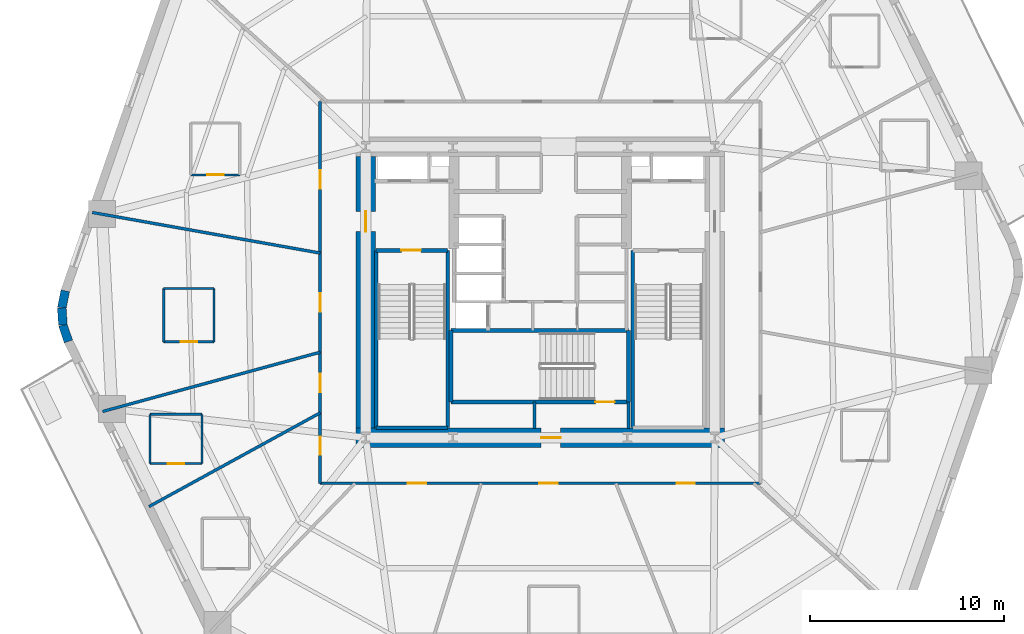
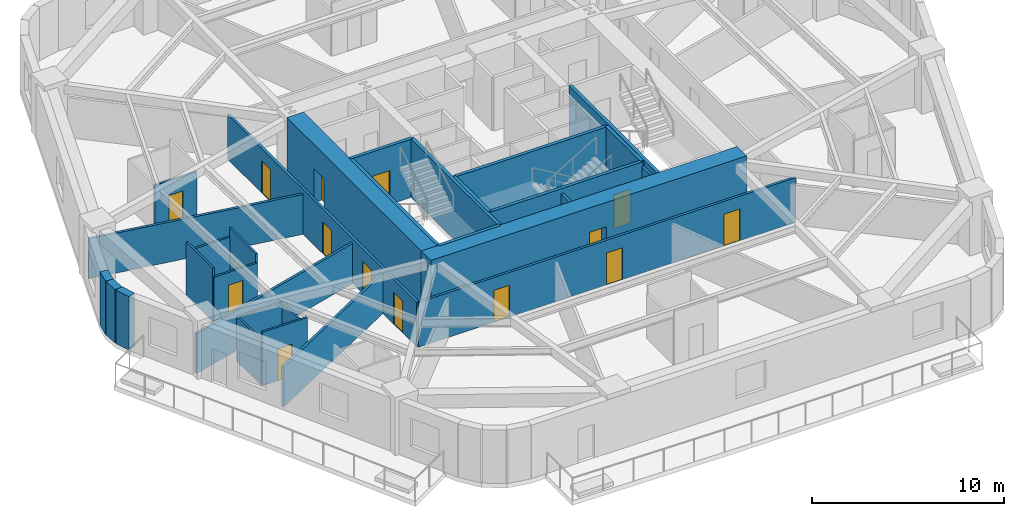
# One storey, part 3 of 10: 30 walls, 14 doors, 14 openings.
"""IFC4 building model written with IfcOpenShell, lengths in metres."""

from ifc_helpers import new_model, si_unit, direction, frame, frame_2d, origin, place, context, subcontext, project, spatial, rectangle, extrude, material, layer, layer_set, type_object, element, fill, save


model = new_model("IFC4")

# Units and contexts
model_context = context("Model", 3, precision=1e-05, world=origin(), true_north=direction((0.0, 1.0)))
body_context = subcontext(model_context, "Body", "Model", "MODEL_VIEW")
ifc_project = project(units=[si_unit("LENGTHUNIT", "METRE"), si_unit("AREAUNIT", "SQUARE_METRE"), si_unit("VOLUMEUNIT", "CUBIC_METRE"), si_unit("PLANEANGLEUNIT", "RADIAN"), si_unit("MASSUNIT", "GRAM", prefix="KILO")], contexts=[model_context])

# Site, building, storey
site_placement = place(None, origin())
site = spatial("IfcSite", under=ifc_project, at=site_placement, CompositionType="ELEMENT")
building_placement = place(site_placement, origin())
building = spatial("IfcBuilding", under=site, at=building_placement, Name="Kilnhurst Terrace Hotel", CompositionType="ELEMENT")
storey_placement = place(building_placement, frame((0.0, 0.0, 63.800048828125)))
storey = spatial("IfcBuildingStorey", under=building, at=storey_placement, Name="L14", CompositionType="ELEMENT", Elevation=63.800048828125)

# Walls
ifc_material_1 = material(Name="Precast concrete C40/50", Category="concrete")
ifc_layer_1 = layer(ifc_material_1, 0.449951171875, Name="Precast concrete C40/50")
ifc_layer_set_1 = layer_set([ifc_layer_1], Name="Precast concrete C40/50")
wall_type_1 = type_object("IfcWallType", Name="WL-BRK-450", PredefinedType="SOLIDWALL", material=ifc_layer_set_1)
wall_1_placement = place(storey_placement, frame((-24.49560546875, 0.07666015625, 0.0), z_axis=(0.0, 0.0, 1.0), x_axis=(-0.199570594521, -0.979883451132, 0.0)))
element("IfcWall", 1, at=wall_1_placement, inside=storey, type_object=wall_type_1, Name="L14 Rounded Corner Brick Wall C6.1", PredefinedType="SOLIDWALL", context=body_context, shape_type="SweptSolid", body=[
    extrude(rectangle(XDim=0.896728515625, YDim=0.449951171875, at=frame_2d((0.4482421875, 0.0))), origin(), (0.0, 0.0, 1.0), 3.39990234375),
])
wall_2_placement = place(storey_placement, frame((-24.674560546875, -0.802001953125, 0.0), z_axis=(0.0, 0.0, 1.0), x_axis=(0.061188874166, -0.998126205286, 0.0)))
element("IfcWall", 2, at=wall_2_placement, inside=storey, type_object=wall_type_1, Name="L14 Rounded Corner Brick Wall C6.2", PredefinedType="SOLIDWALL", context=body_context, shape_type="SweptSolid", body=[
    extrude(rectangle(XDim=0.8818359375, YDim=0.449951171875, at=frame_2d((0.44091796875, 0.0))), origin(), (0.0, 0.0, 1.0), 3.39990234375),
])
wall_3_placement = place(storey_placement, frame((-24.62060546875, -1.68212890625, 0.0), z_axis=(0.0, 0.0, 1.0), x_axis=(0.317697451681, -0.948192137278, 0.0)))
element("IfcWall", 3, at=wall_3_placement, inside=storey, type_object=wall_type_1, Name="L14 Rounded Corner Brick Wall C6.3", PredefinedType="SOLIDWALL", context=body_context, shape_type="SweptSolid", body=[
    extrude(rectangle(XDim=0.896728515625, YDim=0.449951171875, at=frame_2d((0.4482421875, 0.0))), origin(), (0.0, 0.0, 1.0), 3.39990234375),
])

# Wall, openings, doors
ifc_material_2 = material(Name="Acoustic Double-Gypsum Corridor Partition Assembly")
ifc_layer_2 = layer(ifc_material_2, 0.14990234375, Name="Acoustic Double-Gypsum Corridor Partition Assembly")
ifc_layer_set_2 = layer_set([ifc_layer_2], Name="Acoustic Double-Gypsum Corridor Partition Assembly")
wall_type_2 = type_object("IfcWallType", Name="WL-COR-150", PredefinedType="PARTITIONING", material=ifc_layer_set_2)
wall_4_placement = place(storey_placement, frame((-11.35009765625, -9.85009765625, 0.0), z_axis=(0.0, 0.0, 1.0), x_axis=(0.0, 1.0, 0.0)))
wall_4 = element("IfcWall", 4, at=wall_4_placement, inside=storey, type_object=wall_type_2, Name="L14 Interior Wall WL-L14-COR-01", PredefinedType="PARTITIONING", context=body_context, shape_type="SweptSolid", body=[
    extrude(rectangle(XDim=19.7001953125, YDim=0.14990234375, at=frame_2d((9.85009765625, 0.0))), origin(), (0.0, 0.0, 1.0), 2.83984375),
])
opening_1_placement = place(wall_4_placement, frame((15.19091796875, 0.0, 0.0)))
opening_1 = element("IfcOpeningElement", 5, at=opening_1_placement, cuts=wall_4, Name="Opening D-60B", PredefinedType="OPENING", context=body_context, shape_type="SweptSolid", body=[
    extrude(rectangle(XDim=0.949951171875, YDim=2.030029296875, at=frame_2d((0.47509765625, 1.01513671875))), frame((0.0, 0.0849609375, 0.0), z_axis=(0.0, -1.0, 0.0), x_axis=(1.0, 0.0, 0.0)), (0.0, 0.0, 1.0), 0.169921875),
])
opening_2_placement = place(wall_4_placement, frame((8.837890625, 0.0, 0.0)))
opening_2 = element("IfcOpeningElement", 6, at=opening_2_placement, cuts=wall_4, Name="Opening D-60B", PredefinedType="OPENING", context=body_context, shape_type="SweptSolid", body=[
    extrude(rectangle(XDim=0.949951171875, YDim=2.030029296875, at=frame_2d((0.47509765625, 1.01513671875))), frame((0.0, 0.0849609375, 0.0), z_axis=(0.0, -1.0, 0.0), x_axis=(1.0, 0.0, 0.0)), (0.0, 0.0, 1.0), 0.169921875),
])
opening_3_placement = place(wall_4_placement, frame((4.7041015625, 0.0, 0.0)))
opening_3 = element("IfcOpeningElement", 7, at=opening_3_placement, cuts=wall_4, Name="Opening D-60B", PredefinedType="OPENING", context=body_context, shape_type="SweptSolid", body=[
    extrude(rectangle(XDim=0.949951171875, YDim=2.030029296875, at=frame_2d((0.47509765625, 1.01513671875))), frame((0.0, 0.0849609375, 0.0), z_axis=(0.0, -1.0, 0.0), x_axis=(1.0, 0.0, 0.0)), (0.0, 0.0, 1.0), 0.169921875),
])
opening_4_placement = place(wall_4_placement, frame((1.4619140625, 0.0, 0.0)))
opening_4 = element("IfcOpeningElement", 8, at=opening_4_placement, cuts=wall_4, Name="Opening D-60B", PredefinedType="OPENING", context=body_context, shape_type="SweptSolid", body=[
    extrude(rectangle(XDim=0.949951171875, YDim=2.030029296875, at=frame_2d((0.47509765625, 1.01513671875))), frame((0.0, 0.0849609375, 0.0), z_axis=(0.0, -1.0, 0.0), x_axis=(1.0, 0.0, 0.0)), (0.0, 0.0, 1.0), 0.169921875),
])
ifc_material_3 = material(Name="Acoustic Walnut Veneer Solid-Core Fire Door")
door_type_1 = type_object("IfcDoorType", Name="DR-FD60-950", OperationType="NOTDEFINED", PredefinedType="DOOR", material=ifc_material_3)
door_1_placement = place(opening_1_placement, origin())
door_1 = element("IfcDoor", 9, at=door_1_placement, inside=storey, type_object=door_type_1, Name="L14 Executive Suite Entry Door 6", OperationType="SINGLE_SWING_RIGHT", OverallHeight=2.030029296875, OverallWidth=0.949951171875, PredefinedType="DOOR", context=body_context, shape_type="SweptSolid", body=[
    extrude(rectangle(XDim=0.949951171875, YDim=2.030029296875, at=frame_2d((0.47509765625, 1.01513671875))), frame((0.0, 0.02490234375, 0.0), z_axis=(0.0, -1.0, 0.0), x_axis=(1.0, 0.0, 0.0)), (0.0, 0.0, 1.0), 0.050048828125),
])
fill(opening_1, door_1)
door_2_placement = place(opening_2_placement, origin())
door_2 = element("IfcDoor", 10, at=door_2_placement, inside=storey, type_object=door_type_1, Name="L14 Executive Suite Entry Door 7", OperationType="SINGLE_SWING_LEFT", OverallHeight=2.030029296875, OverallWidth=0.949951171875, PredefinedType="DOOR", context=body_context, shape_type="SweptSolid", body=[
    extrude(rectangle(XDim=0.949951171875, YDim=2.030029296875, at=frame_2d((0.47509765625, 1.01513671875))), frame((0.0, 0.02490234375, 0.0), z_axis=(0.0, -1.0, 0.0), x_axis=(1.0, 0.0, 0.0)), (0.0, 0.0, 1.0), 0.050048828125),
])
fill(opening_2, door_2)
door_3_placement = place(opening_3_placement, origin())
door_3 = element("IfcDoor", 11, at=door_3_placement, inside=storey, type_object=door_type_1, Name="L14 Guest Room Entry Door 8", OperationType="SINGLE_SWING_RIGHT", OverallHeight=2.030029296875, OverallWidth=0.949951171875, PredefinedType="DOOR", context=body_context, shape_type="SweptSolid", body=[
    extrude(rectangle(XDim=0.949951171875, YDim=2.030029296875, at=frame_2d((0.47509765625, 1.01513671875))), frame((0.0, 0.02490234375, 0.0), z_axis=(0.0, -1.0, 0.0), x_axis=(1.0, 0.0, 0.0)), (0.0, 0.0, 1.0), 0.050048828125),
])
fill(opening_3, door_3)
door_4_placement = place(opening_4_placement, origin())
door_4 = element("IfcDoor", 12, at=door_4_placement, inside=storey, type_object=door_type_1, Name="L14 Guest Room Entry Door 9", OperationType="SINGLE_SWING_LEFT", OverallHeight=2.030029296875, OverallWidth=0.949951171875, PredefinedType="DOOR", context=body_context, shape_type="SweptSolid", body=[
    extrude(rectangle(XDim=0.949951171875, YDim=2.030029296875, at=frame_2d((0.47509765625, 1.01513671875))), frame((0.0, 0.02490234375, 0.0), z_axis=(0.0, -1.0, 0.0), x_axis=(1.0, 0.0, 0.0)), (0.0, 0.0, 1.0), 0.050048828125),
])
fill(opening_4, door_4)

wall_5_placement = place(storey_placement, frame((11.35009765625, -9.85009765625, 0.0), z_axis=(0.0, 0.0, 1.0), x_axis=(-1.0, 0.0, 0.0)))
wall_5 = element("IfcWall", 13, at=wall_5_placement, inside=storey, type_object=wall_type_2, Name="L14 Interior Wall WL-L14-COR-04", PredefinedType="PARTITIONING", context=body_context, shape_type="SweptSolid", body=[
    extrude(rectangle(XDim=22.7001953125, YDim=0.14990234375, at=frame_2d((11.35009765625, 0.0))), origin(), (0.0, 0.0, 1.0), 2.83984375),
])
opening_5_placement = place(wall_5_placement, frame((17.22509765625, 0.0, 0.0)))
opening_5 = element("IfcOpeningElement", 14, at=opening_5_placement, cuts=wall_5, Name="Opening D-60B", PredefinedType="OPENING", context=body_context, shape_type="SweptSolid", body=[
    extrude(rectangle(XDim=0.949951171875, YDim=2.030029296875, at=frame_2d((0.47509765625, 1.01513671875))), frame((0.0, 0.0849609375, 0.0), z_axis=(0.0, -1.0, 0.0), x_axis=(1.0, 0.0, 0.0)), (0.0, 0.0, 1.0), 0.169921875),
])
opening_6_placement = place(wall_5_placement, frame((10.444091796875, 0.0, 0.0)))
opening_6 = element("IfcOpeningElement", 15, at=opening_6_placement, cuts=wall_5, Name="Opening D-60B", PredefinedType="OPENING", context=body_context, shape_type="SweptSolid", body=[
    extrude(rectangle(XDim=0.949951171875, YDim=2.030029296875, at=frame_2d((0.47509765625, 1.01513671875))), frame((0.0, 0.0849609375, 0.0), z_axis=(0.0, -1.0, 0.0), x_axis=(1.0, 0.0, 0.0)), (0.0, 0.0, 1.0), 0.169921875),
])
opening_7_placement = place(wall_5_placement, frame((3.368896484375, 0.0, 0.0)))
opening_7 = element("IfcOpeningElement", 16, at=opening_7_placement, cuts=wall_5, Name="Opening D-60B", PredefinedType="OPENING", context=body_context, shape_type="SweptSolid", body=[
    extrude(rectangle(XDim=0.949951171875, YDim=2.030029296875, at=frame_2d((0.47509765625, 1.01513671875))), frame((0.0, 0.0849609375, 0.0), z_axis=(0.0, -1.0, 0.0), x_axis=(1.0, 0.0, 0.0)), (0.0, 0.0, 1.0), 0.169921875),
])
door_5_placement = place(opening_5_placement, origin())
door_5 = element("IfcDoor", 17, at=door_5_placement, inside=storey, type_object=door_type_1, Name="L14 Private Dining Salon Door", OperationType="SINGLE_SWING_RIGHT", OverallHeight=2.030029296875, OverallWidth=0.949951171875, PredefinedType="DOOR", context=body_context, shape_type="SweptSolid", body=[
    extrude(rectangle(XDim=0.949951171875, YDim=2.030029296875, at=frame_2d((0.47509765625, 1.01513671875))), frame((0.0, 0.02490234375, 0.0), z_axis=(0.0, -1.0, 0.0), x_axis=(1.0, 0.0, 0.0)), (0.0, 0.0, 1.0), 0.050048828125),
])
fill(opening_5, door_5)
door_6_placement = place(opening_6_placement, origin())
door_6 = element("IfcDoor", 18, at=door_6_placement, inside=storey, type_object=door_type_1, Name="L14 Executive Suite Entry Door 11", OperationType="SINGLE_SWING_LEFT", OverallHeight=2.030029296875, OverallWidth=0.949951171875, PredefinedType="DOOR", context=body_context, shape_type="SweptSolid", body=[
    extrude(rectangle(XDim=0.949951171875, YDim=2.030029296875, at=frame_2d((0.47509765625, 1.01513671875))), frame((0.0, 0.02490234375, 0.0), z_axis=(0.0, -1.0, 0.0), x_axis=(1.0, 0.0, 0.0)), (0.0, 0.0, 1.0), 0.050048828125),
])
fill(opening_6, door_6)
door_7_placement = place(opening_7_placement, origin())
door_7 = element("IfcDoor", 19, at=door_7_placement, inside=storey, type_object=door_type_1, Name="L14 Executive Boardroom Door", OperationType="SINGLE_SWING_RIGHT", OverallHeight=2.030029296875, OverallWidth=0.949951171875, PredefinedType="DOOR", context=body_context, shape_type="SweptSolid", body=[
    extrude(rectangle(XDim=0.949951171875, YDim=2.030029296875, at=frame_2d((0.47509765625, 1.01513671875))), frame((0.0, 0.02490234375, 0.0), z_axis=(0.0, -1.0, 0.0), x_axis=(1.0, 0.0, 0.0)), (0.0, 0.0, 1.0), 0.050048828125),
])
fill(opening_7, door_7)

# Wall, opening, door
ifc_material_4 = material(Name="Concrete C80/95", Category="concrete")
ifc_layer_3 = layer(ifc_material_4, 1.0, Name="Concrete C80/95")
ifc_layer_set_3 = layer_set([ifc_layer_3], Name="Concrete C80/95")
wall_type_3 = type_object("IfcWallType", Name="WL-CORE-1000", PredefinedType="SHEAR", material=ifc_layer_set_3)
wall_6_placement = place(storey_placement, frame((-9.5, -7.5, 0.0), z_axis=(0.0, 0.0, 1.0), x_axis=(1.0, 0.0, 0.0)))
wall_6 = element("IfcWall", 20, at=wall_6_placement, inside=storey, type_object=wall_type_3, Name="L14 Core South Shear Wall", PredefinedType="SHEAR", context=body_context, shape_type="SweptSolid", body=[
    extrude(rectangle(XDim=19.0, YDim=1.0, at=frame_2d((9.5, 0.0))), origin(), (0.0, 0.0, 1.0), 3.699951171875),
])
opening_8_placement = place(wall_6_placement, frame((9.550048828125, 0.0, 0.0)))
opening_8 = element("IfcOpeningElement", 21, at=opening_8_placement, cuts=wall_6, Name="Opening D-90B", PredefinedType="OPENING", context=body_context, shape_type="SweptSolid", body=[
    extrude(rectangle(XDim=1.0, YDim=2.14990234375, at=frame_2d((0.5, 1.074951171875))), frame((0.0, 0.510009765625, 0.0), z_axis=(0.0, -1.0, 0.0), x_axis=(1.0, 0.0, 0.0)), (0.0, 0.0, 1.0), 1.02001953125),
])
ifc_material_5 = material(Name="Painted Hollow Metal Steel ASTM A36 Fire Door", Category="steel")
door_type_2 = type_object("IfcDoorType", Name="DR-FD90-1000", OperationType="NOTDEFINED", PredefinedType="DOOR", material=ifc_material_5)
door_8_placement = place(opening_8_placement, origin())
door_8 = element("IfcDoor", 22, at=door_8_placement, inside=storey, type_object=door_type_2, Name="L14 Stair ST-3 Corridor Door", OperationType="SINGLE_SWING_RIGHT", OverallHeight=2.14990234375, OverallWidth=1.0, PredefinedType="DOOR", context=body_context, shape_type="SweptSolid", body=[
    extrude(rectangle(XDim=1.0, YDim=2.14990234375, at=frame_2d((0.5, 1.074951171875))), frame((0.0, 0.02490234375, 0.0), z_axis=(0.0, -1.0, 0.0), x_axis=(1.0, 0.0, 0.0)), (0.0, 0.0, 1.0), 0.050048828125),
])
fill(opening_8, door_8)

wall_7_placement = place(storey_placement, frame((-9.0, -7.0, 0.0), z_axis=(0.0, 0.0, 1.0), x_axis=(0.0, 1.0, 0.0)))
wall_7 = element("IfcWall", 23, at=wall_7_placement, inside=storey, type_object=wall_type_3, Name="L14 Core West Shear Wall", PredefinedType="SHEAR", context=body_context, shape_type="SweptSolid", body=[
    extrude(rectangle(XDim=14.0, YDim=1.0, at=frame_2d((7.0, 0.0))), origin(), (0.0, 0.0, 1.0), 3.699951171875),
])
opening_9_placement = place(wall_7_placement, frame((10.125, 0.0, 0.0)))
opening_9 = element("IfcOpeningElement", 24, at=opening_9_placement, cuts=wall_7, Name="Opening D-90A", PredefinedType="OPENING", context=body_context, shape_type="SweptSolid", body=[
    extrude(rectangle(XDim=1.050048828125, YDim=2.14990234375, at=frame_2d((0.52490234375, 1.074951171875))), frame((0.0, 0.510009765625, 0.0), z_axis=(0.0, -1.0, 0.0), x_axis=(1.0, 0.0, 0.0)), (0.0, 0.0, 1.0), 1.02001953125),
])
door_type_3 = type_object("IfcDoorType", Name="DR-FD90-1050", OperationType="NOTDEFINED", PredefinedType="DOOR", material=ifc_material_5)
door_9_placement = place(opening_9_placement, origin())
door_9 = element("IfcDoor", 25, at=door_9_placement, inside=storey, type_object=door_type_3, Name="L14 West Firefighting Lobby Door", OperationType="SINGLE_SWING_RIGHT", OverallHeight=2.14990234375, OverallWidth=1.050048828125, PredefinedType="DOOR", context=body_context, shape_type="SweptSolid", body=[
    extrude(rectangle(XDim=1.050048828125, YDim=2.14990234375, at=frame_2d((0.52490234375, 1.074951171875))), frame((0.0, 0.02490234375, 0.0), z_axis=(0.0, -1.0, 0.0), x_axis=(1.0, 0.0, 0.0)), (0.0, 0.0, 1.0), 0.050048828125),
])
fill(opening_9, door_9)

# Walls
ifc_material_6 = material(Name="STC-58 Acoustic Twin-Frame Guestroom Demising Partition")
ifc_layer_4 = layer(ifc_material_6, 0.14990234375, Name="STC-58 Acoustic Twin-Frame Guestroom Demising Partition")
ifc_layer_set_4 = layer_set([ifc_layer_4], Name="STC-58 Acoustic Twin-Frame Guestroom Demising Partition")
wall_type_4 = type_object("IfcWallType", Name="WL-DEM-150", PredefinedType="PARTITIONING", material=ifc_layer_set_4)
wall_8_placement = place(storey_placement, frame((-11.35009765625, 2.022705078125, 0.0), z_axis=(0.0, 0.0, 1.0), x_axis=(-0.984493741877, 0.17541970301, 0.0)))
element("IfcWall", 26, at=wall_8_placement, inside=storey, type_object=wall_type_4, Name="L14 Interior Wall WL-L14-DEM-COL06-07-1", PredefinedType="PARTITIONING", context=body_context, shape_type="SweptSolid", body=[
    extrude(rectangle(XDim=11.93701171875, YDim=0.14990234375, at=frame_2d((5.968505859375, 0.0))), origin(), (0.0, 0.0, 1.0), 2.5400390625),
])
wall_9_placement = place(storey_placement, frame((-11.35009765625, -3.0908203125, 0.0), z_axis=(0.0, 0.0, 1.0), x_axis=(-0.964859685283, -0.262765651704, 0.0)))
element("IfcWall", 27, at=wall_9_placement, inside=storey, type_object=wall_type_4, Name="L14 Interior Wall WL-L14-DEM-COL07-08-1", PredefinedType="PARTITIONING", context=body_context, shape_type="SweptSolid", body=[
    extrude(rectangle(XDim=11.62890625, YDim=0.14990234375, at=frame_2d((5.814453125, 0.0))), origin(), (0.0, 0.0, 1.0), 2.5400390625),
])
wall_10_placement = place(storey_placement, frame((-11.35009765625, -6.216552734375, 0.0), z_axis=(0.0, 0.0, 1.0), x_axis=(-0.877047587135, -0.480403507378, 0.0)))
element("IfcWall", 28, at=wall_10_placement, inside=storey, type_object=wall_type_4, Name="L14 Interior Wall WL-L14-DEM-MID07-09-1", PredefinedType="PARTITIONING", context=body_context, shape_type="SweptSolid", body=[
    extrude(rectangle(XDim=10.061767578125, YDim=0.14990234375, at=frame_2d((5.03076171875, 0.0))), origin(), (0.0, 0.0, 1.0), 2.5400390625),
])

# Wall, opening, door
ifc_material_7 = material(Name="120 mm Moisture-Resistant Tile-Backed Bathroom Partition")
ifc_layer_5 = layer(ifc_material_7, 0.1201171875, Name="120 mm Moisture-Resistant Tile-Backed Bathroom Partition")
ifc_layer_set_5 = layer_set([ifc_layer_5], Name="120 mm Moisture-Resistant Tile-Backed Bathroom Partition")
wall_type_5 = type_object("IfcWallType", Name="WL-PART-120", PredefinedType="PARTITIONING", material=ifc_layer_set_5)
wall_11_placement = place(storey_placement, frame((-18.01611328125, 6.052978515625, 0.0), z_axis=(0.0, 0.0, 1.0), x_axis=(1.0, 0.0, 0.0)))
wall_11 = element("IfcWall", 29, at=wall_11_placement, inside=storey, type_object=wall_type_5, Name="L14 Interior Wall WL-L14-BTH-06-1", PredefinedType="PARTITIONING", context=body_context, shape_type="SweptSolid", body=[
    extrude(rectangle(XDim=2.52001953125, YDim=0.1201171875, at=frame_2d((1.260009765625, 0.0))), origin(), (0.0, 0.0, 1.0), 2.97216796875),
])
opening_10_placement = place(wall_11_placement, frame((0.8349609375, 0.0, 0.0)))
opening_10 = element("IfcOpeningElement", 30, at=opening_10_placement, cuts=wall_11, Name="Opening D-08A", PredefinedType="OPENING", context=body_context, shape_type="SweptSolid", body=[
    extrude(rectangle(XDim=0.85009765625, YDim=2.030029296875, at=frame_2d((0.425048828125, 1.01513671875))), frame((0.0, 0.070068359375, 0.0), z_axis=(0.0, -1.0, 0.0), x_axis=(1.0, 0.0, 0.0)), (0.0, 0.0, 1.0), 0.14013671875),
])
ifc_material_8 = material(Name="Moisture-Resistant Lacquered En-suite Bathroom Door")
door_type_4 = type_object("IfcDoorType", Name="DR-INT-850", OperationType="NOTDEFINED", PredefinedType="DOOR", material=ifc_material_8)
door_10_placement = place(opening_10_placement, origin())
door_10 = element("IfcDoor", 31, at=door_10_placement, inside=storey, type_object=door_type_4, Name="L14 En-suite Bathroom Door 6", OperationType="SINGLE_SWING_LEFT", OverallHeight=2.030029296875, OverallWidth=0.85009765625, PredefinedType="DOOR", context=body_context, shape_type="SweptSolid", body=[
    extrude(rectangle(XDim=0.85009765625, YDim=2.030029296875, at=frame_2d((0.425048828125, 1.01513671875))), frame((0.0, 0.02490234375, 0.0), z_axis=(0.0, -1.0, 0.0), x_axis=(1.0, 0.0, 0.0)), (0.0, 0.0, 1.0), 0.050048828125),
])
fill(opening_10, door_10)

wall_12_placement = place(storey_placement, frame((-19.425048828125, -2.552978515625, 0.0), z_axis=(0.0, 0.0, 1.0), x_axis=(1.0, 0.0, 0.0)))
wall_12 = element("IfcWall", 32, at=wall_12_placement, inside=storey, type_object=wall_type_5, Name="L14 Interior Wall WL-L14-BTH-07-1", PredefinedType="PARTITIONING", context=body_context, shape_type="SweptSolid", body=[
    extrude(rectangle(XDim=2.60009765625, YDim=0.1201171875, at=frame_2d((1.300048828125, 0.0))), origin(), (0.0, 0.0, 1.0), 2.84033203125),
])
opening_11_placement = place(wall_12_placement, frame((0.875, 0.0, 0.0)))
opening_11 = element("IfcOpeningElement", 33, at=opening_11_placement, cuts=wall_12, Name="Opening D-08A", PredefinedType="OPENING", context=body_context, shape_type="SweptSolid", body=[
    extrude(rectangle(XDim=0.85009765625, YDim=2.030029296875, at=frame_2d((0.425048828125, 1.01513671875))), frame((0.0, 0.070068359375, 0.0), z_axis=(0.0, -1.0, 0.0), x_axis=(1.0, 0.0, 0.0)), (0.0, 0.0, 1.0), 0.14013671875),
])
door_11_placement = place(opening_11_placement, origin())
door_11 = element("IfcDoor", 34, at=door_11_placement, inside=storey, type_object=door_type_4, Name="L14 En-suite Bathroom Door 7", OperationType="SINGLE_SWING_RIGHT", OverallHeight=2.030029296875, OverallWidth=0.85009765625, PredefinedType="DOOR", context=body_context, shape_type="SweptSolid", body=[
    extrude(rectangle(XDim=0.85009765625, YDim=2.030029296875, at=frame_2d((0.425048828125, 1.01513671875))), frame((0.0, 0.02490234375, 0.0), z_axis=(0.0, -1.0, 0.0), x_axis=(1.0, 0.0, 0.0)), (0.0, 0.0, 1.0), 0.050048828125),
])
fill(opening_11, door_11)

# Walls
wall_13_placement = place(storey_placement, frame((-16.824951171875, -2.552978515625, 0.0), z_axis=(0.0, 0.0, 1.0), x_axis=(0.0, 1.0, 0.0)))
element("IfcWall", 35, at=wall_13_placement, inside=storey, type_object=wall_type_5, Name="L14 Interior Wall WL-L14-BTH-07-2", PredefinedType="PARTITIONING", context=body_context, shape_type="SweptSolid", body=[
    extrude(rectangle(XDim=2.75, YDim=0.1201171875, at=frame_2d((1.375, 0.0))), origin(), (0.0, 0.0, 1.0), 3.39990234375),
])
wall_14_placement = place(storey_placement, frame((-16.824951171875, 0.197021484375, 0.0), z_axis=(0.0, 0.0, 1.0), x_axis=(-1.0, 0.0, 0.0)))
element("IfcWall", 36, at=wall_14_placement, inside=storey, type_object=wall_type_5, Name="L14 Interior Wall WL-L14-BTH-07-3", PredefinedType="PARTITIONING", context=body_context, shape_type="SweptSolid", body=[
    extrude(rectangle(XDim=2.60009765625, YDim=0.1201171875, at=frame_2d((1.300048828125, 0.0))), origin(), (0.0, 0.0, 1.0), 2.84033203125),
])
wall_15_placement = place(storey_placement, frame((-19.425048828125, 0.197021484375, 0.0), z_axis=(0.0, 0.0, 1.0), x_axis=(0.0, -1.0, 0.0)))
element("IfcWall", 37, at=wall_15_placement, inside=storey, type_object=wall_type_5, Name="L14 Interior Wall WL-L14-BTH-07-4", PredefinedType="PARTITIONING", context=body_context, shape_type="SweptSolid", body=[
    extrude(rectangle(XDim=2.75, YDim=0.1201171875, at=frame_2d((1.375, 0.0))), origin(), (0.0, 0.0, 1.0), 3.39990234375),
])

# Wall, opening, door
wall_16_placement = place(storey_placement, frame((-20.126953125, -8.8330078125, 0.0), z_axis=(0.0, 0.0, 1.0), x_axis=(1.0, 0.0, 0.0)))
wall_16 = element("IfcWall", 38, at=wall_16_placement, inside=storey, type_object=wall_type_5, Name="L14 Interior Wall WL-L14-BTH-08-1", PredefinedType="PARTITIONING", context=body_context, shape_type="SweptSolid", body=[
    extrude(rectangle(XDim=2.679931640625, YDim=0.1201171875, at=frame_2d((1.33984375, 0.0))), origin(), (0.0, 0.0, 1.0), 3.39990234375),
])
opening_12_placement = place(wall_16_placement, frame((0.9150390625, 0.0, 0.0)))
opening_12 = element("IfcOpeningElement", 39, at=opening_12_placement, cuts=wall_16, Name="Opening D-08A", PredefinedType="OPENING", context=body_context, shape_type="SweptSolid", body=[
    extrude(rectangle(XDim=0.85009765625, YDim=2.030029296875, at=frame_2d((0.425048828125, 1.01513671875))), frame((0.0, 0.070068359375, 0.0), z_axis=(0.0, -1.0, 0.0), x_axis=(1.0, 0.0, 0.0)), (0.0, 0.0, 1.0), 0.14013671875),
])
door_12_placement = place(opening_12_placement, origin())
door_12 = element("IfcDoor", 40, at=door_12_placement, inside=storey, type_object=door_type_4, Name="L14 En-suite Bathroom Door 8", OperationType="SINGLE_SWING_LEFT", OverallHeight=2.030029296875, OverallWidth=0.85009765625, PredefinedType="DOOR", context=body_context, shape_type="SweptSolid", body=[
    extrude(rectangle(XDim=0.85009765625, YDim=2.030029296875, at=frame_2d((0.425048828125, 1.01513671875))), frame((0.0, 0.02490234375, 0.0), z_axis=(0.0, -1.0, 0.0), x_axis=(1.0, 0.0, 0.0)), (0.0, 0.0, 1.0), 0.050048828125),
])
fill(opening_12, door_12)

# Walls
wall_17_placement = place(storey_placement, frame((-17.447021484375, -8.8330078125, 0.0), z_axis=(0.0, 0.0, 1.0), x_axis=(0.0, 1.0, 0.0)))
element("IfcWall", 41, at=wall_17_placement, inside=storey, type_object=wall_type_5, Name="L14 Interior Wall WL-L14-BTH-08-2", PredefinedType="PARTITIONING", context=body_context, shape_type="SweptSolid", body=[
    extrude(rectangle(XDim=2.5400390625, YDim=0.1201171875, at=frame_2d((1.27001953125, 0.0))), origin(), (0.0, 0.0, 1.0), 2.83984375),
])
wall_18_placement = place(storey_placement, frame((-17.447021484375, -6.29296875, 0.0), z_axis=(0.0, 0.0, 1.0), x_axis=(-1.0, 0.0, 0.0)))
element("IfcWall", 42, at=wall_18_placement, inside=storey, type_object=wall_type_5, Name="L14 Interior Wall WL-L14-BTH-08-3", PredefinedType="PARTITIONING", context=body_context, shape_type="SweptSolid", body=[
    extrude(rectangle(XDim=2.679931640625, YDim=0.1201171875, at=frame_2d((1.33984375, 0.0))), origin(), (0.0, 0.0, 1.0), 2.83984375),
])
wall_19_placement = place(storey_placement, frame((-20.126953125, -6.29296875, 0.0), z_axis=(0.0, 0.0, 1.0), x_axis=(0.0, -1.0, 0.0)))
element("IfcWall", 43, at=wall_19_placement, inside=storey, type_object=wall_type_5, Name="L14 Interior Wall WL-L14-BTH-08-4", PredefinedType="PARTITIONING", context=body_context, shape_type="SweptSolid", body=[
    extrude(rectangle(XDim=2.5400390625, YDim=0.1201171875, at=frame_2d((1.27001953125, 0.0))), origin(), (0.0, 0.0, 1.0), 2.83984375),
])
ifc_material_9 = material(Name="Fire-Rated Gypsum Shaftliner Assembly")
ifc_layer_6 = layer(ifc_material_9, 0.14990234375, Name="Fire-Rated Gypsum Shaftliner Assembly")
ifc_layer_set_6 = layer_set([ifc_layer_6], Name="Fire-Rated Gypsum Shaftliner Assembly")
wall_type_6 = type_object("IfcWallType", Name="WL-SHAFT-150", PredefinedType="PARTITIONING", material=ifc_layer_set_6)
for number, where, z_axis, x_axis, name in (
    (44, (-0.300048828125, -7.02001953125, 0.0), (0.0, 0.0, 1.0), (0.0, 1.0, 0.0), "L14 Interior Wall WL-L14-ST3-PSGW"),
    (45, (4.55810546875, -7.02001953125, 0.0), (0.0, 0.0, 1.0), (0.0, 1.0, 0.0), "L14 Interior Wall WL-L14-ST3-PSGE"),
):
    element("IfcWall", number, at=place(storey_placement, frame(where, z_axis=z_axis, x_axis=x_axis)), inside=storey, type_object=wall_type_6, Name=name, PredefinedType="PARTITIONING", context=body_context, shape_type="SweptSolid", body=[
        extrude(rectangle(XDim=1.362060546875, YDim=0.14990234375, at=frame_2d((0.68115234375, 0.0))), origin(), (0.0, 0.0, 1.0), 3.39990234375),
    ])
ifc_material_10 = material(Name="Concrete C50/60", Category="concrete")
ifc_layer_7 = layer(ifc_material_10, 0.199951171875, Name="Concrete C50/60")
ifc_layer_set_7 = layer_set([ifc_layer_7], Name="Concrete C50/60")
wall_type_7 = type_object("IfcWallType", Name="WL-STAIR-RC-200", PredefinedType="SHEAR", material=ifc_layer_set_7)
for number, where, z_axis, x_axis, name in (
    (46, (-8.4580078125, -6.985107421875, 0.0), (0.0, 0.0, 1.0), (0.0, 1.0, 0.0), "L14 Structural Stair Shaft Wall WL-L14-ST1-W"),
    (47, (-4.77197265625, -6.985107421875, 0.0), (0.0, 0.0, 1.0), (0.0, 1.0, 0.0), "L14 Structural Stair Shaft Wall WL-L14-ST1-E"),
):
    element("IfcWall", number, at=place(storey_placement, frame(where, z_axis=z_axis, x_axis=x_axis)), inside=storey, type_object=wall_type_7, Name=name, PredefinedType="SHEAR", context=body_context, shape_type="SweptSolid", body=[
        extrude(rectangle(XDim=9.14306640625, YDim=0.199951171875, at=frame_2d((4.571533203125, 0.0))), origin(), (0.0, 0.0, 1.0), 3.699951171875),
    ])
wall_20_placement = place(storey_placement, frame((-8.4580078125, -6.985107421875, 0.0), z_axis=(0.0, 0.0, 1.0), x_axis=(1.0, 0.0, 0.0)))
element("IfcWall", 48, at=wall_20_placement, inside=storey, type_object=wall_type_7, Name="L14 Structural Stair Shaft Wall WL-L14-ST1-S", PredefinedType="SHEAR", context=body_context, shape_type="SweptSolid", body=[
    extrude(rectangle(XDim=3.68603515625, YDim=0.199951171875, at=frame_2d((1.843017578125, 0.0))), origin(), (0.0, 0.0, 1.0), 3.699951171875),
])

# Wall, opening, door
wall_21_placement = place(storey_placement, frame((-8.4580078125, 2.157958984375, 0.0), z_axis=(0.0, 0.0, 1.0), x_axis=(1.0, 0.0, 0.0)))
wall_21 = element("IfcWall", 49, at=wall_21_placement, inside=storey, type_object=wall_type_7, Name="L14 Structural Stair Shaft Wall WL-L14-ST1-N", PredefinedType="SHEAR", context=body_context, shape_type="SweptSolid", body=[
    extrude(rectangle(XDim=3.68603515625, YDim=0.199951171875, at=frame_2d((1.843017578125, 0.0))), origin(), (0.0, 0.0, 1.0), 3.699951171875),
])
opening_13_placement = place(wall_21_placement, frame((1.300048828125, 0.0, 0.0)))
opening_13 = element("IfcOpeningElement", 50, at=opening_13_placement, cuts=wall_21, Name="Opening D-90B", PredefinedType="OPENING", context=body_context, shape_type="SweptSolid", body=[
    extrude(rectangle(XDim=1.0, YDim=2.14990234375, at=frame_2d((0.5, 1.074951171875))), frame((0.0, 0.10986328125, 0.0), z_axis=(0.0, -1.0, 0.0), x_axis=(1.0, 0.0, 0.0)), (0.0, 0.0, 1.0), 0.219970703125),
])
door_13_placement = place(opening_13_placement, origin())
door_13 = element("IfcDoor", 51, at=door_13_placement, inside=storey, type_object=door_type_2, Name="L14 Stair ST-1 Door", OperationType="SINGLE_SWING_LEFT", OverallHeight=2.14990234375, OverallWidth=1.0, PredefinedType="DOOR", context=body_context, shape_type="SweptSolid", body=[
    extrude(rectangle(XDim=1.0, YDim=2.14990234375, at=frame_2d((0.5, 1.074951171875))), frame((0.0, 0.02490234375, 0.0), z_axis=(0.0, -1.0, 0.0), x_axis=(1.0, 0.0, 0.0)), (0.0, 0.0, 1.0), 0.050048828125),
])
fill(opening_13, door_13)

# Walls
wall_22_placement = place(storey_placement, frame((4.77197265625, -6.985107421875, 0.0), z_axis=(0.0, 0.0, 1.0), x_axis=(0.0, 1.0, 0.0)))
element("IfcWall", 52, at=wall_22_placement, inside=storey, type_object=wall_type_7, Name="L14 Structural Stair Shaft Wall WL-L14-ST2-W", PredefinedType="SHEAR", context=body_context, shape_type="SweptSolid", body=[
    extrude(rectangle(XDim=9.14306640625, YDim=0.199951171875, at=frame_2d((4.571533203125, 0.0))), origin(), (0.0, 0.0, 1.0), 3.699951171875),
])
wall_23_placement = place(storey_placement, frame((-4.60791015625, -5.657958984375, 0.0), z_axis=(0.0, 0.0, 1.0), x_axis=(0.0, 1.0, 0.0)))
element("IfcWall", 53, at=wall_23_placement, inside=storey, type_object=wall_type_7, Name="L14 Structural Stair Shaft Wall WL-L14-ST3-W", PredefinedType="SHEAR", context=body_context, shape_type="SweptSolid", body=[
    extrude(rectangle(XDim=3.68603515625, YDim=0.199951171875, at=frame_2d((1.843017578125, 0.0))), origin(), (0.0, 0.0, 1.0), 3.699951171875),
])

# Wall, opening, door
wall_24_placement = place(storey_placement, frame((-4.60791015625, -5.657958984375, 0.0), z_axis=(0.0, 0.0, 1.0), x_axis=(1.0, 0.0, 0.0)))
wall_24 = element("IfcWall", 54, at=wall_24_placement, inside=storey, type_object=wall_type_7, Name="L14 Structural Stair Shaft Wall WL-L14-ST3-S", PredefinedType="SHEAR", context=body_context, shape_type="SweptSolid", body=[
    extrude(rectangle(XDim=9.166015625, YDim=0.199951171875, at=frame_2d((4.5830078125, 0.0))), origin(), (0.0, 0.0, 1.0), 3.699951171875),
])
opening_14_placement = place(wall_24_placement, frame((7.449951171875, 0.0, 0.0)))
opening_14 = element("IfcOpeningElement", 55, at=opening_14_placement, cuts=wall_24, Name="Opening D-90B", PredefinedType="OPENING", context=body_context, shape_type="SweptSolid", body=[
    extrude(rectangle(XDim=1.0, YDim=2.14990234375, at=frame_2d((0.5, 1.074951171875))), frame((0.0, 0.10986328125, 0.0), z_axis=(0.0, -1.0, 0.0), x_axis=(1.0, 0.0, 0.0)), (0.0, 0.0, 1.0), 0.219970703125),
])
door_14_placement = place(opening_14_placement, origin())
door_14 = element("IfcDoor", 56, at=door_14_placement, inside=storey, type_object=door_type_2, Name="L14 Stair ST-3 Shaft Door", OperationType="SINGLE_SWING_LEFT", OverallHeight=2.14990234375, OverallWidth=1.0, PredefinedType="DOOR", context=body_context, shape_type="SweptSolid", body=[
    extrude(rectangle(XDim=1.0, YDim=2.14990234375, at=frame_2d((0.5, 1.074951171875))), frame((0.0, 0.02490234375, 0.0), z_axis=(0.0, -1.0, 0.0), x_axis=(1.0, 0.0, 0.0)), (0.0, 0.0, 1.0), 0.050048828125),
])
fill(opening_14, door_14)

# Walls
wall_25_placement = place(storey_placement, frame((-4.60791015625, -1.971923828125, 0.0), z_axis=(0.0, 0.0, 1.0), x_axis=(1.0, 0.0, 0.0)))
element("IfcWall", 57, at=wall_25_placement, inside=storey, type_object=wall_type_7, Name="L14 Structural Stair Shaft Wall WL-L14-ST3-N", PredefinedType="SHEAR", context=body_context, shape_type="SweptSolid", body=[
    extrude(rectangle(XDim=9.166015625, YDim=0.199951171875, at=frame_2d((4.5830078125, 0.0))), origin(), (0.0, 0.0, 1.0), 3.699951171875),
])
wall_26_placement = place(storey_placement, frame((4.55810546875, -5.657958984375, 0.0), z_axis=(0.0, 0.0, 1.0), x_axis=(0.0, 1.0, 0.0)))
element("IfcWall", 58, at=wall_26_placement, inside=storey, type_object=wall_type_7, Name="L14 Structural Stair Shaft Wall WL-L14-ST3-E", PredefinedType="SHEAR", context=body_context, shape_type="SweptSolid", body=[
    extrude(rectangle(XDim=3.68603515625, YDim=0.199951171875, at=frame_2d((1.843017578125, 0.0))), origin(), (0.0, 0.0, 1.0), 3.699951171875),
])

save(model, "model.ifc")
